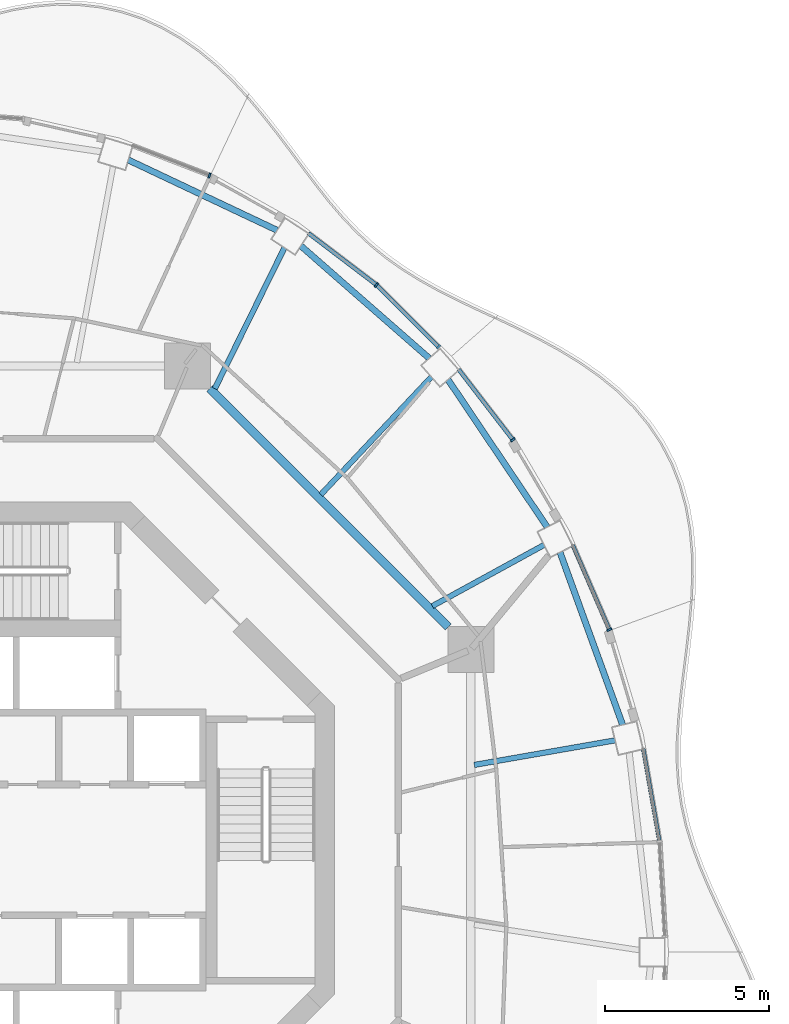
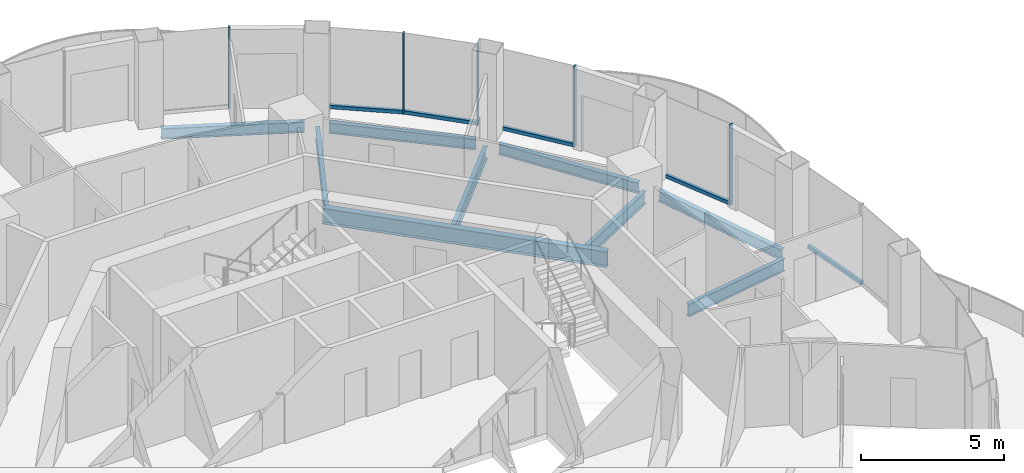
# One storey, part 7 of 17: 10 members, 9 beams, 6 elements without a shape of their own.
"""IFC4 building model written with IfcOpenShell, lengths in metres."""

from ifc_helpers import new_model, si_unit, direction, frame, origin, origin_2d, place, context, subcontext, project, spatial, rectangle, i_section, extrude, material, layer, layer_set, material_profile, profile_set, type_object, element, aggregate, save


model = new_model("IFC4")

# Units and contexts
model_context = context("Model", 3, precision=1e-05, world=origin(), true_north=direction((0.0, 1.0)))
body_context = subcontext(model_context, "Body", "Model", "MODEL_VIEW")
ifc_project = project(units=[si_unit("LENGTHUNIT", "METRE"), si_unit("AREAUNIT", "SQUARE_METRE"), si_unit("VOLUMEUNIT", "CUBIC_METRE"), si_unit("PLANEANGLEUNIT", "RADIAN"), si_unit("MASSUNIT", "GRAM", prefix="KILO")], contexts=[model_context])

# Site, building, storey
site_placement = place(None, origin())
site = spatial("IfcSite", under=ifc_project, at=site_placement, CompositionType="ELEMENT")
building_placement = place(site_placement, origin())
building = spatial("IfcBuilding", under=site, at=building_placement, Name="Nagisa Residences", CompositionType="ELEMENT")
storey_placement = place(building_placement, frame((0.0, 0.0, 269.60009765625)))
storey = spatial("IfcBuildingStorey", under=building, at=storey_placement, Name="L68", CompositionType="ELEMENT", Elevation=269.60009765625)

# Curtain wall, member
ifc_material_1 = material(Name="Concrete-coloured aluminium curtain wall system", Category="concrete")
ifc_layer = layer(ifc_material_1, 0.159912109375)
ifc_layer_set = layer_set([ifc_layer], Name="CW1 CURTAIN WALL")
curtain_wall_type = type_object("IfcCurtainWallType", Name="CW1 CURTAIN WALL", PredefinedType="NOTDEFINED", material=ifc_layer_set)
curtain_wall_1_placement = place(storey_placement, origin())
curtain_wall_1 = element("IfcCurtainWall", 1, at=curtain_wall_1_placement, inside=storey, type_object=curtain_wall_type, Name="cw:CW1:L68:03", PredefinedType="NOTDEFINED")
ifc_material_2 = material(Name="Concrete-coloured aluminium", Category="concrete")
ifc_material_profile_1 = material_profile(ifc_material_2, rectangle(XDim=0.159912109375, YDim=0.06005859375, at=origin_2d()), Name="CW1 MULLION 160x60")
ifc_profile_set_1 = profile_set([ifc_material_profile_1], Name="Concrete-coloured aluminium")
member_type_1 = type_object("IfcMemberType", Name="CW1 MULLION 160x60", PredefinedType="MULLION", material=ifc_profile_set_1)
member_1_placement = place(storey_placement, frame((19.012939453125, 6.728271484375, 0.0), z_axis=(0.0, 0.0, 1.0), x_axis=(-0.917543276295, -0.397635934147, 0.0)))
member_1 = element("IfcMember", 2, at=member_1_placement, type_object=member_type_1, Name="CW1 mullion", PredefinedType="MULLION", context=body_context, shape_type="SweptSolid", body=[
    extrude(rectangle(XDim=0.159912109375, YDim=0.06005859375, at=origin_2d()), origin(), (0.0, 0.0, 1.0), 3.43994140625),
])

curtain_wall_2_placement = place(storey_placement, origin())
curtain_wall_2 = element("IfcCurtainWall", 3, at=curtain_wall_2_placement, inside=storey, type_object=curtain_wall_type, Name="cw:CW1:L68:05", PredefinedType="NOTDEFINED")
member_2_placement = place(storey_placement, frame((16.06396484375, 12.52685546875, 0.0), z_axis=(0.0, 0.0, 1.0), x_axis=(-0.792070340816, -0.610429828235, 0.0)))
member_2 = element("IfcMember", 4, at=member_2_placement, type_object=member_type_1, Name="CW1 mullion", PredefinedType="MULLION", context=body_context, shape_type="SweptSolid", body=[
    extrude(rectangle(XDim=0.159912109375, YDim=0.06005859375, at=origin_2d()), origin(), (0.0, 0.0, 1.0), 3.43994140625),
])

curtain_wall_3_placement = place(storey_placement, origin())
curtain_wall_3 = element("IfcCurtainWall", 5, at=curtain_wall_3_placement, inside=storey, type_object=curtain_wall_type, Name="cw:CW1:L68:06", PredefinedType="NOTDEFINED")
member_3_placement = place(storey_placement, frame((13.798583984375, 15.36572265625, 0.0), z_axis=(0.0, 0.0, 1.0), x_axis=(-0.706376885714, -0.707835924016, 0.0)))
member_3 = element("IfcMember", 6, at=member_3_placement, type_object=member_type_1, Name="CW1 mullion", PredefinedType="MULLION", context=body_context, shape_type="SweptSolid", body=[
    extrude(rectangle(XDim=0.159912109375, YDim=0.06005859375, at=origin_2d()), origin(), (0.0, 0.0, 1.0), 3.43994140625),
])

curtain_wall_4_placement = place(storey_placement, origin())
curtain_wall_4 = element("IfcCurtainWall", 7, at=curtain_wall_4_placement, inside=storey, type_object=curtain_wall_type, Name="cw:CW1:L68:07", PredefinedType="NOTDEFINED")
member_4_placement = place(storey_placement, frame((11.89794921875, 17.2578125, 0.0), z_axis=(0.0, 0.0, 1.0), x_axis=(-0.605255421737, -0.79603132756, 0.0)))
member_4 = element("IfcMember", 8, at=member_4_placement, type_object=member_type_1, Name="CW1 mullion", PredefinedType="MULLION", context=body_context, shape_type="SweptSolid", body=[
    extrude(rectangle(XDim=0.159912109375, YDim=0.06005859375, at=origin_2d()), origin(), (0.0, 0.0, 1.0), 3.43994140625),
])

curtain_wall_5_placement = place(storey_placement, origin())
curtain_wall_5 = element("IfcCurtainWall", 9, at=curtain_wall_5_placement, inside=storey, type_object=curtain_wall_type, Name="cw:CW1:L68:09", PredefinedType="NOTDEFINED")
member_5_placement = place(storey_placement, frame((6.799560546875, 20.59912109375, 0.0), z_axis=(0.0, 0.0, 1.0), x_axis=(-0.360327770268, -0.932825759707, 0.0)))
member_5 = element("IfcMember", 10, at=member_5_placement, type_object=member_type_1, Name="CW1 mullion", PredefinedType="MULLION", context=body_context, shape_type="SweptSolid", body=[
    extrude(rectangle(XDim=0.159912109375, YDim=0.06005859375, at=origin_2d()), origin(), (0.0, 0.0, 1.0), 3.43994140625),
])
aggregate(curtain_wall_5, [member_5])

curtain_wall_6_placement = place(storey_placement, origin())
curtain_wall_6 = element("IfcCurtainWall", 11, at=curtain_wall_6_placement, inside=storey, type_object=curtain_wall_type, Name="cw:CW1:L68:01", PredefinedType="NOTDEFINED")
ifc_material_3 = material(Name="Concrete-coloured aluminium", Category="concrete")
ifc_material_profile_2 = material_profile(ifc_material_3, rectangle(XDim=0.1201171875, YDim=0.14990234375, at=origin_2d()), Name="CW1 TRANSOM 120x150")
ifc_profile_set_2 = profile_set([ifc_material_profile_2], Name="Concrete-coloured aluminium")
member_type_2 = type_object("IfcMemberType", Name="CW1 TRANSOM 120x150", PredefinedType="USERDEFINED", material=ifc_profile_set_2)
member_6_placement = place(storey_placement, frame((20.547607421875, 0.228271484375, 0.074951171875), z_axis=(-0.172196679668, 0.985062588626, 0.0), x_axis=(-0.985062588626, -0.172196679668, 0.0)))
member_6 = element("IfcMember", 12, at=member_6_placement, type_object=member_type_2, Name="CW1 transom", ObjectType="TRANSOM", PredefinedType="USERDEFINED", context=body_context, shape_type="SweptSolid", body=[
    extrude(rectangle(XDim=0.1201171875, YDim=0.14990234375, at=origin_2d()), origin(), (0.0, 0.0, 1.0), 2.90234375),
])
aggregate(curtain_wall_6, [member_6])

# Member
member_7_placement = place(storey_placement, frame((19.024658203125, 6.70068359375, 0.074951171875), z_axis=(-0.397597791596, 0.9175598052, 0.0), x_axis=(-0.9175598052, -0.397597791596, 0.0)))
member_7 = element("IfcMember", 13, at=member_7_placement, type_object=member_type_2, Name="CW1 transom", ObjectType="TRANSOM", PredefinedType="USERDEFINED", context=body_context, shape_type="SweptSolid", body=[
    extrude(rectangle(XDim=0.1201171875, YDim=0.14990234375, at=origin_2d()), origin(), (0.0, 0.0, 1.0), 2.841064453125),
])

aggregate(curtain_wall_1, [member_1, member_7])

member_8_placement = place(storey_placement, frame((16.082275390625, 12.5029296875, 0.074951171875), z_axis=(-0.610432336622, 0.792068407656, 0.0), x_axis=(-0.792068407656, -0.610432336622, 0.0)))
member_8 = element("IfcMember", 14, at=member_8_placement, type_object=member_type_2, Name="CW1 transom", ObjectType="TRANSOM", PredefinedType="USERDEFINED", context=body_context, shape_type="SweptSolid", body=[
    extrude(rectangle(XDim=0.1201171875, YDim=0.14990234375, at=origin_2d()), origin(), (0.0, 0.0, 1.0), 2.74609375),
])

aggregate(curtain_wall_2, [member_2, member_8])

member_9_placement = place(storey_placement, frame((13.81982421875, 15.344482421875, 0.074951171875), z_axis=(-0.707876975297, 0.706335747251, 0.0), x_axis=(-0.706335747251, -0.707876975297, 0.0)))
member_9 = element("IfcMember", 15, at=member_9_placement, type_object=member_type_2, Name="CW1 transom", ObjectType="TRANSOM", PredefinedType="USERDEFINED", context=body_context, shape_type="SweptSolid", body=[
    extrude(rectangle(XDim=0.1201171875, YDim=0.14990234375, at=origin_2d()), origin(), (0.0, 0.0, 1.0), 2.69287109375),
])

aggregate(curtain_wall_3, [member_3, member_9])

member_10_placement = place(storey_placement, frame((11.921875, 17.239501953125, 0.074951171875), z_axis=(-0.796055284084, 0.605223912847, 0.0), x_axis=(-0.605223912847, -0.796055284084, 0.0)))
member_10 = element("IfcMember", 16, at=member_10_placement, type_object=member_type_2, Name="CW1 transom", ObjectType="TRANSOM", PredefinedType="USERDEFINED", context=body_context, shape_type="SweptSolid", body=[
    extrude(rectangle(XDim=0.1201171875, YDim=0.14990234375, at=origin_2d()), origin(), (0.0, 0.0, 1.0), 2.640625),
])

aggregate(curtain_wall_4, [member_4, member_10])

# Beams
ifc_material_4 = material(Name="Steel ASTM A572 Gr 50", Category="steel")
ifc_material_profile_3 = material_profile(ifc_material_4, i_section(OverallWidth=0.2529296875, OverallDepth=0.677978515625, WebThickness=0.01171875, FlangeThickness=0.016357421875, at=origin_2d()), Name="W690x125")
ifc_profile_set_3 = profile_set([ifc_material_profile_3], Name="Steel ASTM A572 Gr 50")
beam_type_1 = type_object("IfcBeamType", Name="Inner ring beam W690x125", PredefinedType="BEAM", material=ifc_profile_set_3)
beam_1_placement = place(storey_placement, frame((14.09619140625, 6.808837890625, -0.59912109375), z_axis=(-0.707106781187, 0.707106781187, 0.0), x_axis=(-0.707106781187, -0.707106781187, 0.0)))
element("IfcBeam", 17, at=beam_1_placement, inside=storey, type_object=beam_type_1, Name="beam:L68:ib1", PredefinedType="BEAM", context=body_context, shape_type="SweptSolid", body=[
    extrude(i_section(OverallWidth=0.2529296875, OverallDepth=0.677978515625, WebThickness=0.01171875, FlangeThickness=0.016357421875, at=origin_2d()), origin(), (0.0, 0.0, 1.0), 10.305908203125),
])
ifc_material_5 = material(Name="Steel ASTM A572 Gr 50", Category="steel")
ifc_material_profile_4 = material_profile(ifc_material_5, i_section(OverallWidth=0.18994140625, OverallDepth=0.45703125, WebThickness=0.009033203125, FlangeThickness=0.014404296875, at=origin_2d()), Name="W460x74")
ifc_profile_set_4 = profile_set([ifc_material_profile_4], Name="Steel ASTM A572 Gr 50")
beam_type_2 = type_object("IfcBeamType", Name="Perimeter ring beam W460x74", PredefinedType="BEAM", material=ifc_profile_set_4)
beam_2_placement = place(storey_placement, frame((19.41845703125, 3.822021484375, -0.488525390625), z_axis=(-0.341211850477, 0.93998642176, 0.0), x_axis=(-0.93998642176, -0.341211850477, 0.0)))
element("IfcBeam", 18, at=beam_2_placement, inside=storey, type_object=beam_type_2, Name="beam:L68:pb02", PredefinedType="BEAM", context=body_context, shape_type="SweptSolid", body=[
    extrude(i_section(OverallWidth=0.18994140625, OverallDepth=0.45703125, WebThickness=0.009033203125, FlangeThickness=0.014404296875, at=origin_2d()), origin(), (0.0, 0.0, 1.0), 5.609619140625),
])
beam_3_placement = place(storey_placement, frame((17.11474609375, 9.862060546875, -0.488525390625), z_axis=(-0.558066424866, 0.829796279479, 0.0), x_axis=(-0.829796279479, -0.558066424866, 0.0)))
element("IfcBeam", 19, at=beam_3_placement, inside=storey, type_object=beam_type_2, Name="beam:L68:pb03", PredefinedType="BEAM", context=body_context, shape_type="SweptSolid", body=[
    extrude(i_section(OverallWidth=0.18994140625, OverallDepth=0.45703125, WebThickness=0.009033203125, FlangeThickness=0.014404296875, at=origin_2d()), origin(), (0.0, 0.0, 1.0), 5.43212890625),
])
beam_4_placement = place(storey_placement, frame((13.514892578125, 15.015380859375, -0.488525390625), z_axis=(-0.752385480596, 0.658723074279, 0.0), x_axis=(-0.658723074279, -0.752385480596, 0.0)))
element("IfcBeam", 20, at=beam_4_placement, inside=storey, type_object=beam_type_2, Name="beam:L68:pb04", PredefinedType="BEAM", context=body_context, shape_type="SweptSolid", body=[
    extrude(i_section(OverallWidth=0.18994140625, OverallDepth=0.45703125, WebThickness=0.009033203125, FlangeThickness=0.014404296875, at=origin_2d()), origin(), (0.0, 0.0, 1.0), 5.220947265625),
])
beam_5_placement = place(storey_placement, frame((8.8671875, 18.926513671875, -0.488525390625), z_axis=(-0.904115893837, 0.427287316113, 0.0), x_axis=(-0.427287316113, -0.904115893837, 0.0)))
element("IfcBeam", 21, at=beam_5_placement, inside=storey, type_object=beam_type_2, Name="beam:L68:pb05", PredefinedType="BEAM", context=body_context, shape_type="SweptSolid", body=[
    extrude(i_section(OverallWidth=0.18994140625, OverallDepth=0.45703125, WebThickness=0.009033203125, FlangeThickness=0.014404296875, at=origin_2d()), origin(), (0.0, 0.0, 1.0), 5.031494140625),
])
ifc_material_6 = material(Name="Steel ASTM A572 Gr 50", Category="steel")
ifc_material_profile_5 = material_profile(ifc_material_6, i_section(OverallWidth=0.166015625, OverallDepth=0.534912109375, WebThickness=0.01025390625, FlangeThickness=0.0166015625, at=origin_2d()), Name="W530x85")
ifc_profile_set_5 = profile_set([ifc_material_profile_5], Name="Steel ASTM A572 Gr 50")
beam_type_3 = type_object("IfcBeamType", Name="Radial beam W530x85", PredefinedType="BEAM", material=ifc_profile_set_5)
beam_6_placement = place(storey_placement, frame((19.191162109375, 3.349365234375, -0.527587890625), z_axis=(-0.985114356534, -0.171900275017, 0.0), x_axis=(0.171900275017, -0.985114356534, 0.0)))
element("IfcBeam", 22, at=beam_6_placement, inside=storey, type_object=beam_type_3, Name="beam:L68:rb02", PredefinedType="BEAM", context=body_context, shape_type="SweptSolid", body=[
    extrude(i_section(OverallWidth=0.166015625, OverallDepth=0.534912109375, WebThickness=0.01025390625, FlangeThickness=0.0166015625, at=origin_2d()), origin(), (0.0, 0.0, 1.0), 4.3671875),
])
beam_7_placement = place(storey_placement, frame((17.02294921875, 9.31982421875, -0.527587890625), z_axis=(-0.877142169669, -0.480230792628, 0.0), x_axis=(0.480230792628, -0.877142169669, 0.0)))
element("IfcBeam", 23, at=beam_7_placement, inside=storey, type_object=beam_type_3, Name="beam:L68:rb03", PredefinedType="BEAM", context=body_context, shape_type="SweptSolid", body=[
    extrude(i_section(OverallWidth=0.166015625, OverallDepth=0.534912109375, WebThickness=0.01025390625, FlangeThickness=0.0166015625, at=origin_2d()), origin(), (0.0, 0.0, 1.0), 3.894287109375),
])
beam_8_placement = place(storey_placement, frame((13.579833984375, 14.451416015625, -0.527587890625), z_axis=(-0.684799688268, -0.728731354442, 0.0), x_axis=(0.728731354442, -0.684799688268, 0.0)))
element("IfcBeam", 24, at=beam_8_placement, inside=storey, type_object=beam_type_3, Name="beam:L68:rb04", PredefinedType="BEAM", context=body_context, shape_type="SweptSolid", body=[
    extrude(i_section(OverallWidth=0.166015625, OverallDepth=0.534912109375, WebThickness=0.01025390625, FlangeThickness=0.0166015625, at=origin_2d()), origin(), (0.0, 0.0, 1.0), 4.934814453125),
])
beam_9_placement = place(storey_placement, frame((9.09033203125, 18.3974609375, -0.527587890625), z_axis=(-0.442997846128, -0.896522675857, 0.0), x_axis=(0.896522675857, -0.442997846128, 0.0)))
element("IfcBeam", 25, at=beam_9_placement, inside=storey, type_object=beam_type_3, Name="beam:L68:rb05", PredefinedType="BEAM", context=body_context, shape_type="SweptSolid", body=[
    extrude(i_section(OverallWidth=0.166015625, OverallDepth=0.534912109375, WebThickness=0.01025390625, FlangeThickness=0.0166015625, at=origin_2d()), origin(), (0.0, 0.0, 1.0), 4.80078125),
])

save(model, "model.ifc")
